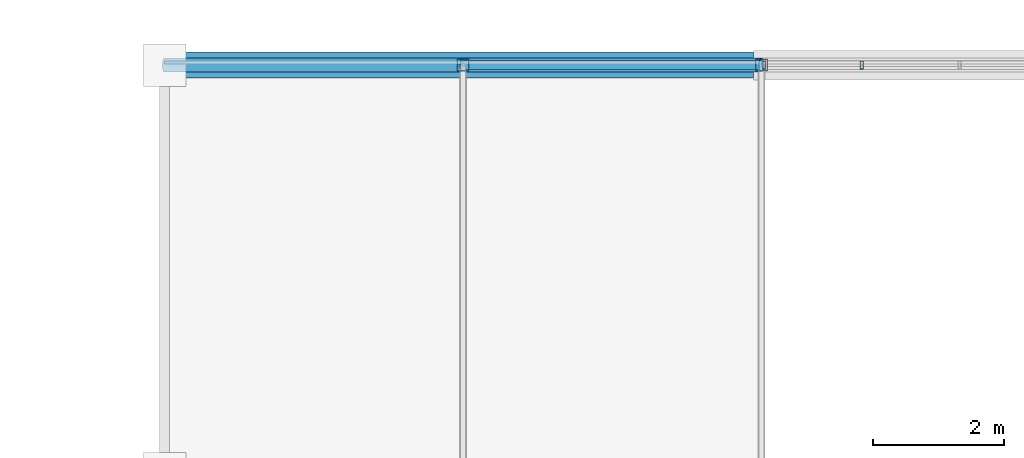
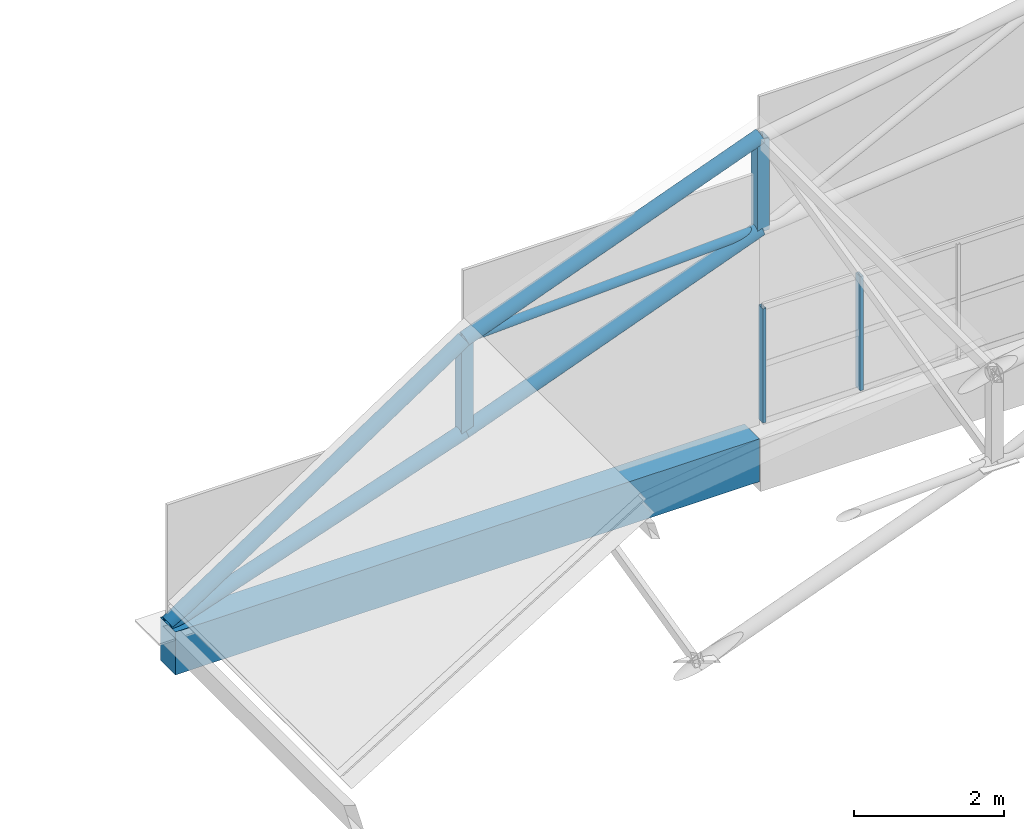
# One storey, part 71 of 101: 9 members, 1 beam, 1 element without a shape of its own.
"""IFC4 building model written with IfcOpenShell, lengths in metres."""

from ifc_helpers import new_model, si_unit, direction, frame, origin, origin_2d, place, context, subcontext, project, spatial, rectangle, hollow_rectangle, hollow_circle, extrude, material, material_profile, profile_set, type_object, element, aggregate, save


model = new_model("IFC4")

# Units and contexts
model_context = context("Model", 3, precision=1e-05, world=origin(), true_north=direction((0.0, 1.0)))
body_context = subcontext(model_context, "Body", "Model", "MODEL_VIEW")
ifc_project = project(units=[si_unit("LENGTHUNIT", "METRE"), si_unit("AREAUNIT", "SQUARE_METRE"), si_unit("VOLUMEUNIT", "CUBIC_METRE"), si_unit("PLANEANGLEUNIT", "RADIAN"), si_unit("MASSUNIT", "GRAM", prefix="KILO")], contexts=[model_context])

# Site, building, storey
site_placement = place(None, origin())
site = spatial("IfcSite", under=ifc_project, at=site_placement, CompositionType="ELEMENT")
building_placement = place(site_placement, origin())
building = spatial("IfcBuilding", under=site, at=building_placement, Name="Solvikara Media Centre", CompositionType="ELEMENT")
storey_placement = place(building_placement, frame((0.0, 0.0, 10.199951171875)))
storey = spatial("IfcBuildingStorey", under=building, at=storey_placement, Name="L02", CompositionType="ELEMENT", Elevation=10.199951171875)

# Beam
ifc_material_1 = material(Name="Concrete fc' 35 MPa (C35/45)", Category="concrete")
ifc_material_profile_1 = material_profile(ifc_material_1, rectangle(XDim=0.39990234375, YDim=0.699951171875, at=origin_2d()), Name="RC 400x700")
ifc_profile_set_1 = profile_set([ifc_material_profile_1], Name="Concrete fc' 35 MPa (C35/45)")
beam_type = type_object("IfcBeamType", Name="BM-13", PredefinedType="SPANDREL", material=ifc_profile_set_1)
beam_placement = place(storey_placement, frame((127.5, 114.0, -0.449951171875), z_axis=(1.0, 0.0, 0.0), x_axis=(0.0, 1.0, 0.0)))
element("IfcBeam", 1, at=beam_placement, inside=storey, type_object=beam_type, Name="B-L02-X0905", PredefinedType="SPANDREL", context=body_context, shape_type="SweptSolid", body=[
    extrude(rectangle(XDim=0.39990234375, YDim=0.699951171875, at=origin_2d()), origin(), (0.0, 0.0, 1.0), 9.0),
])

# Members
ifc_material_2 = material(Name="Steel S355JR", Category="steel")
ifc_material_profile_2 = material_profile(ifc_material_2, hollow_circle(Radius=0.109619140625, WallThickness=0.008056640625, at=origin_2d()), Name="CHS 219.1x8")
ifc_profile_set_2 = profile_set([ifc_material_profile_2], Name="Steel S355JR")
member_type_1 = type_object("IfcMemberType", Name="MB-05", PredefinedType="CHORD", material=ifc_profile_set_2)
member_1_placement = place(storey_placement, frame((127.5, 114.0, -0.06787109375), z_axis=(0.83335162007, 0.0, 0.55274322911), x_axis=(0.0, 1.0, 0.0)))
element("IfcMember", 2, at=member_1_placement, inside=storey, type_object=member_type_1, Name="BSB-TC-04-00", PredefinedType="CHORD", context=body_context, shape_type="SweptSolid", body=[
    extrude(hollow_circle(Radius=0.109619140625, WallThickness=0.008056640625, at=origin_2d()), origin(), (0.0, 0.0, 1.0), 5.474365234375),
])
member_2_placement = place(storey_placement, frame((127.5, 114.0, -0.099853515625), z_axis=(0.946343434254, 0.0, 0.323162659423), x_axis=(0.0, 1.0, 0.0)))
element("IfcMember", 3, at=member_2_placement, inside=storey, type_object=member_type_1, Name="BSB-BC-04-00", PredefinedType="CHORD", context=body_context, shape_type="SweptSolid", body=[
    extrude(hollow_circle(Radius=0.109619140625, WallThickness=0.008056640625, at=origin_2d()), origin(), (0.0, 0.0, 1.0), 4.820556640625),
])
for number, where, z_axis, x_axis, name in (
    (4, (132.06201171875, 114.0, 2.9580078125), (0.936407395887, 0.0, 0.350914788699), (0.0, 1.0, 0.0), "BSB-TC-04-01"),
    (5, (132.06201171875, 114.0, 1.4580078125), (0.936407395887, 0.0, 0.350914788699), (0.0, 1.0, 0.0), "BSB-BC-04-01"),
):
    element("IfcMember", number, at=place(storey_placement, frame(where, z_axis=z_axis, x_axis=x_axis)), inside=storey, type_object=member_type_1, Name=name, PredefinedType="CHORD", context=body_context, shape_type="SweptSolid", body=[
        extrude(hollow_circle(Radius=0.109619140625, WallThickness=0.008056640625, at=origin_2d()), origin(), (0.0, 0.0, 1.0), 4.872802734375),
    ])
ifc_material_profile_3 = material_profile(ifc_material_2, hollow_circle(Radius=0.06982421875, WallThickness=0.00634765625, at=origin_2d()), Name="CHS 139.7x6.3")
ifc_profile_set_3 = profile_set([ifc_material_profile_3], Name="Steel S355JR")
member_type_2 = type_object("IfcMemberType", Name="MB-08", PredefinedType="BRACE", material=ifc_profile_set_3)
member_3_placement = place(storey_placement, frame((132.06201171875, 114.0, 2.9580078125), z_axis=(0.998943038106, 0.0, 0.045965276232), x_axis=(0.0, 1.0, 0.0)))
element("IfcMember", 6, at=member_3_placement, inside=storey, type_object=member_type_2, Name="BSB-DG-04-01", PredefinedType="BRACE", context=body_context, shape_type="SweptSolid", body=[
    extrude(hollow_circle(Radius=0.06982421875, WallThickness=0.00634765625, at=origin_2d()), origin(), (0.0, 0.0, 1.0), 4.56787109375),
])
ifc_material_profile_4 = material_profile(ifc_material_2, hollow_rectangle(XDim=0.179931640625, YDim=0.179931640625, WallThickness=0.008056640625, at=origin_2d()), Name="RHS 180x180x8")
ifc_profile_set_4 = profile_set([ifc_material_profile_4], Name="Steel S355JR")
member_type_3 = type_object("IfcMemberType", Name="MB-14", PredefinedType="BRACE", material=ifc_profile_set_4)
for number, where, z_axis, x_axis, name in (
    (7, (132.06201171875, 114.0, 1.4580078125), (0.0, 0.0, 1.0), (1.0, 0.0, 0.0), "BSB-VT-04-01"),
    (8, (136.625, 114.0, 3.16796875), (0.0, 0.0, 1.0), (1.0, 0.0, 0.0), "BSB-VT-04-02"),
):
    element("IfcMember", number, at=place(storey_placement, frame(where, z_axis=z_axis, x_axis=x_axis)), inside=storey, type_object=member_type_3, Name=name, PredefinedType="BRACE", context=body_context, shape_type="SweptSolid", body=[
        extrude(hollow_rectangle(XDim=0.179931640625, YDim=0.179931640625, WallThickness=0.008056640625, at=origin_2d()), origin(), (0.0, 0.0, 1.0), 1.5),
    ])

# Curtain wall, members
ifc_material_3 = material(Name="Anodised aluminium EN AW-6063", Category="aluminium")
curtain_wall_type = type_object("IfcCurtainWallType", Name="CW-12", PredefinedType="NOTDEFINED", material=ifc_material_3)
curtain_wall_placement = place(storey_placement, origin())
curtain_wall = element("IfcCurtainWall", 9, at=curtain_wall_placement, inside=storey, type_object=curtain_wall_type, Name="CW-BSBN-CLR-02", PredefinedType="NOTDEFINED")
ifc_material_profile_5 = material_profile(ifc_material_3, hollow_rectangle(XDim=0.050048828125, YDim=0.1201171875, WallThickness=0.0029296875, at=origin_2d()), Name="ALU-M 50x120x3")
ifc_profile_set_5 = profile_set([ifc_material_profile_5], Name="Anodised aluminium EN AW-6063")
member_type_4 = type_object("IfcMemberType", Name="MF-06", PredefinedType="MULLION", material=ifc_profile_set_5)
member_4_placement = place(storey_placement, frame((136.659912109375, 114.0, 0.02001953125), z_axis=(0.0, 0.0, 1.0), x_axis=(1.0, 0.0, 0.0)))
member_4 = element("IfcMember", 10, at=member_4_placement, type_object=member_type_4, Name="CW-BSBN-CLR-02-M00", PredefinedType="MULLION", context=body_context, shape_type="SweptSolid", body=[
    extrude(hollow_rectangle(XDim=0.050048828125, YDim=0.1201171875, WallThickness=0.0029296875, at=origin_2d()), origin(), (0.0, 0.0, 1.0), 1.860107421875),
])
member_5_placement = place(storey_placement, frame((138.157958984375, 114.0, 0.02001953125), z_axis=(0.0, 0.0, 1.0), x_axis=(1.0, 0.0, 0.0)))
member_5 = element("IfcMember", 11, at=member_5_placement, type_object=member_type_4, Name="CW-BSBN-CLR-02-M01", PredefinedType="MULLION", context=body_context, shape_type="SweptSolid", body=[
    extrude(hollow_rectangle(XDim=0.050048828125, YDim=0.1201171875, WallThickness=0.0029296875, at=origin_2d()), origin(), (0.0, 0.0, 1.0), 1.860107421875),
])
aggregate(curtain_wall, [member_4, member_5])

save(model, "model.ifc")
